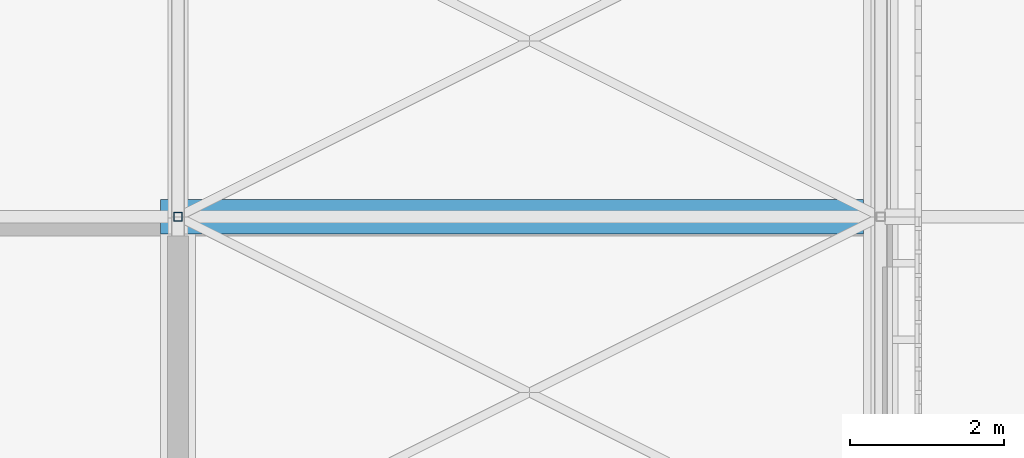
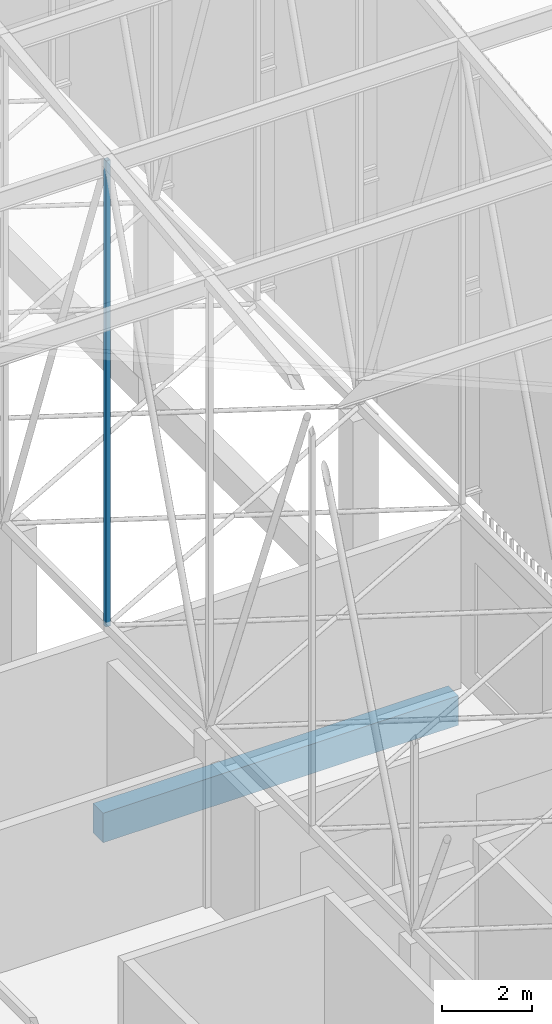
# One storey, part 362 of 500: 1 beam, 1 member.
"""IFC4 building model written with IfcOpenShell, lengths in metres."""

from ifc_helpers import new_model, si_unit, direction, frame, origin, origin_2d, place, context, subcontext, project, spatial, rectangle, hollow_rectangle, extrude, material, material_profile, profile_set, type_object, element, save


model = new_model("IFC4")

# Units and contexts
model_context = context("Model", 3, precision=1e-05, world=origin(), true_north=direction((0.0, 1.0)))
body_context = subcontext(model_context, "Body", "Model", "MODEL_VIEW")
ifc_project = project(units=[si_unit("LENGTHUNIT", "METRE"), si_unit("AREAUNIT", "SQUARE_METRE"), si_unit("VOLUMEUNIT", "CUBIC_METRE"), si_unit("PLANEANGLEUNIT", "RADIAN"), si_unit("MASSUNIT", "GRAM", prefix="KILO")], contexts=[model_context])

# Site, building, storey
site_placement = place(None, origin())
site = spatial("IfcSite", under=ifc_project, at=site_placement, CompositionType="ELEMENT")
building_placement = place(site_placement, origin())
building = spatial("IfcBuilding", under=site, at=building_placement, Name="Shirokan Park Arena", CompositionType="ELEMENT")
storey_placement = place(building_placement, frame((0.0, 0.0, 29.1201171875)))
storey = spatial("IfcBuildingStorey", under=building, at=storey_placement, Name="L06", CompositionType="ELEMENT", Elevation=29.1201171875)

# Beam
ifc_material_1 = material(Name="Concrete C35", Category="concrete")
ifc_material_profile_1 = material_profile(ifc_material_1, rectangle(XDim=0.449951171875, YDim=0.800048828125, at=origin_2d()), Name="450x800")
ifc_profile_set_1 = profile_set([ifc_material_profile_1], Name="Concrete C35")
beam_type = type_object("IfcBeamType", Name="RC edge beam 450x800", PredefinedType="BEAM", material=ifc_profile_set_1)
beam_placement = place(storey_placement, frame((145.375, 40.949951171875, -0.60009765625), z_axis=(-1.0, 0.0, 0.0), x_axis=(0.0, -1.0, 0.0)))
element("IfcBeam", 1, at=beam_placement, inside=storey, type_object=beam_type, Name="Edge beam L06 L06-43", PredefinedType="BEAM", context=body_context, shape_type="SweptSolid", body=[
    extrude(rectangle(XDim=0.449951171875, YDim=0.800048828125, at=origin_2d()), origin(), (0.0, 0.0, 1.0), 9.10009765625),
])

# Member
ifc_material_2 = material(Name="Steel ASTM A500 Grade C", Category="steel")
ifc_material_profile_2 = material_profile(ifc_material_2, hollow_rectangle(XDim=0.114013671875, YDim=0.114013671875, WallThickness=0.00634765625, at=origin_2d()), Name="HSS114.3X114.3X6.4")
ifc_profile_set_2 = profile_set([ifc_material_profile_2], Name="Steel ASTM A500 Grade C")
member_type = type_object("IfcMemberType", Name="Truss post HSS114.3X114.3X6.4", PredefinedType="POST", material=ifc_profile_set_2)
member_placement = place(storey_placement, frame((136.5, 40.949951171875, 4.677001953125), z_axis=(0.0, 0.0, 1.0), x_axis=(1.0, 0.0, 0.0)))
element("IfcMember", 2, at=member_placement, inside=storey, type_object=member_type, Name="Truss T16 post 12", PredefinedType="POST", context=body_context, shape_type="SweptSolid", body=[
    extrude(hollow_rectangle(XDim=0.114013671875, YDim=0.114013671875, WallThickness=0.00634765625, at=origin_2d()), origin(), (0.0, 0.0, 1.0), 12.6259765625),
])

save(model, "model.ifc")
